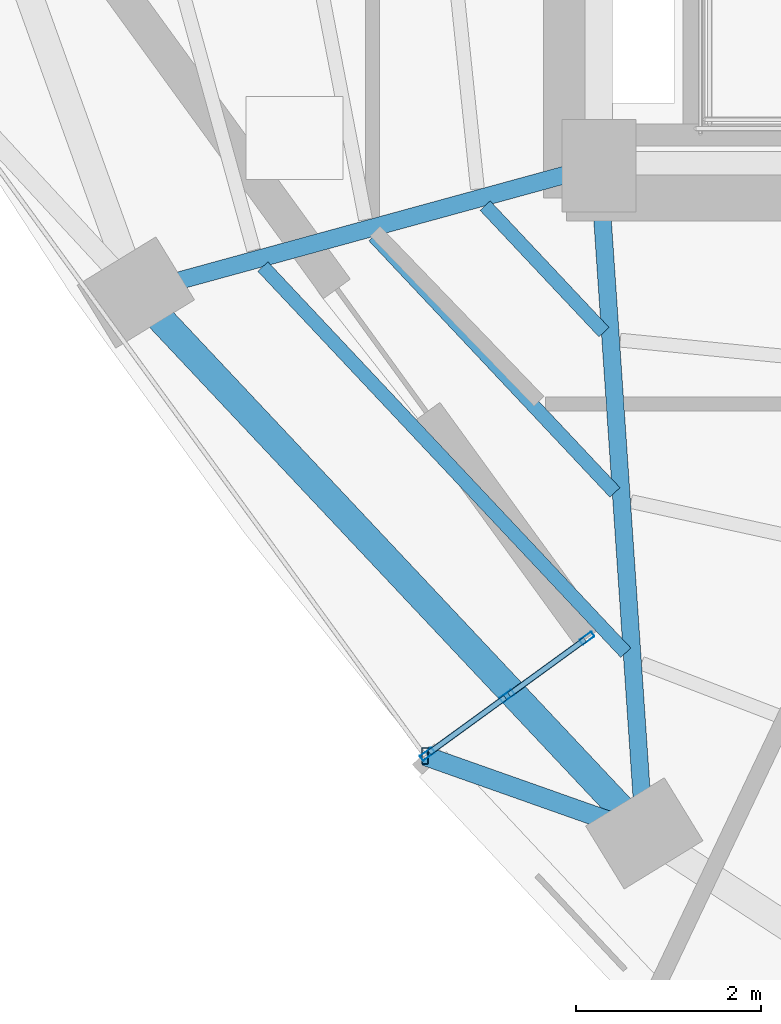
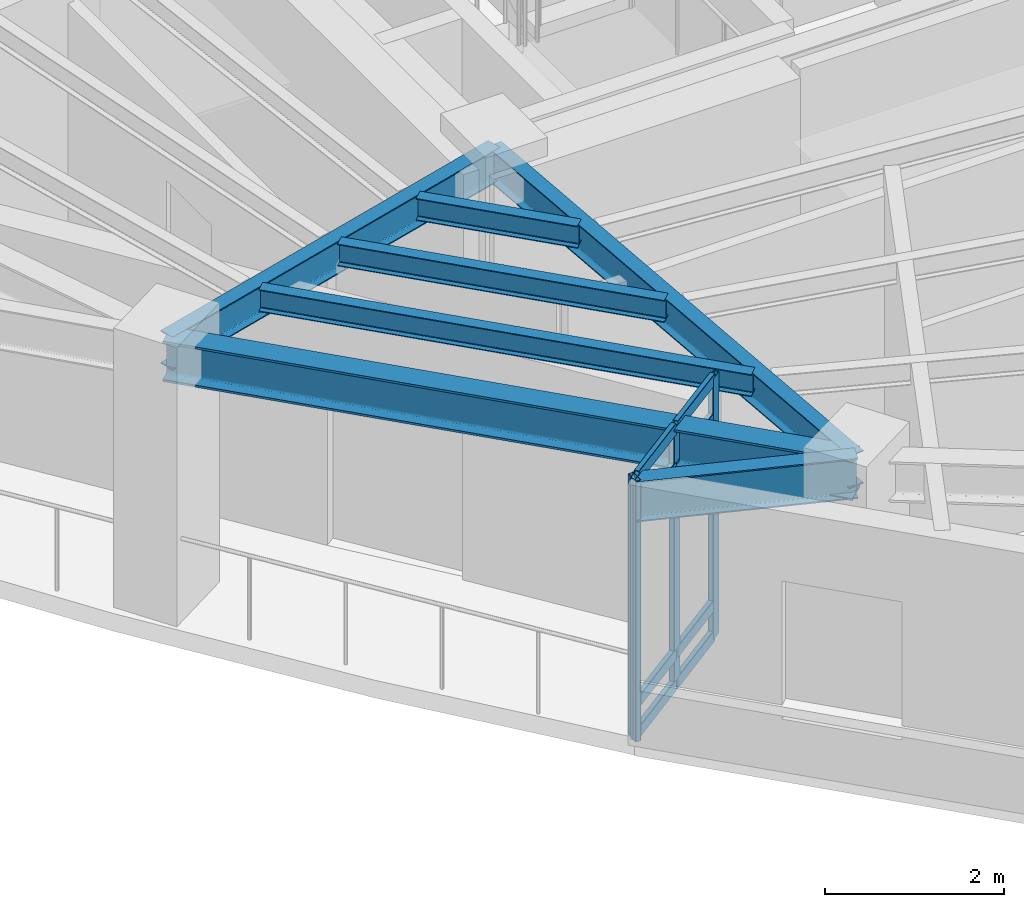
# One storey, part 2 of 12: 12 members, 7 beams, 1 element without a shape of its own.
"""IFC4 building model written with IfcOpenShell, lengths in metres."""

import ifcopenshell
import ifcopenshell.guid

model = None  # the IFC model being written
_history = None  # IfcOwnerHistory: only IFC2X3 demands one
_inside = {}  # id of a spatial element -> (the spatial element, [elements in it])
_under = {}  # id of a project, library or spatial element -> (it, [spatial elements below it])
_declared = {}  # id of a project -> (the project, [libraries it declares])
_typed = {}  # id of a type object -> (the type object, [elements of that type])
_made_of = {}  # id of a material, layer set ... -> (it, [elements and type objects made of it])


def new_model(schema):
    """Start an empty IFC model of exactly this schema.

    Asked for "IFC4X3", IfcOpenShell would pick the latest addendum, in which some entities
    have other attributes; the version numbers below select the first issue.
    IFC2X3 requires an IfcOwnerHistory on every rooted entity: one is made here for all.
    """
    global model, _history
    if schema == "IFC4X3":
        model = ifcopenshell.file(schema_version=(4, 3, 0, 0))
    else:
        model = ifcopenshell.file(schema=schema)
    _inside.clear()
    _under.clear()
    _declared.clear()
    _typed.clear()
    _made_of.clear()
    _history = None
    if model.schema == "IFC2X3":
        org = make("IfcOrganization", Name="unknown")
        user = make(
            "IfcPersonAndOrganization",
            ThePerson=make("IfcPerson", FamilyName="unknown"),
            TheOrganization=org,
        )
        app = make(
            "IfcApplication",
            ApplicationDeveloper=org,
            Version="unknown",
            ApplicationFullName="unknown",
            ApplicationIdentifier="unknown",
        )
        _history = make(
            "IfcOwnerHistory",
            OwningUser=user,
            OwningApplication=app,
            ChangeAction="ADDED",
            CreationDate=0,
        )
    return model


def make(cls, **values):
    """One entity of the class cls with the attributes given. An attribute that is None is left unset."""
    return model.create_entity(
        cls, **{name: value for name, value in values.items() if value is not None}
    )


def rooted(cls, **values):
    """An entity with a GlobalId (a new one), such as an element, a storey or a relation."""
    return make(cls, GlobalId=ifcopenshell.guid.new(), OwnerHistory=_history, **values)


def si_unit(unit_type, name, prefix=None):
    """IfcSIUnit, for example si_unit("LENGTHUNIT", "METRE", prefix="MILLI")."""
    return make("IfcSIUnit", UnitType=unit_type, Prefix=prefix, Name=name)


def assignment(units):
    """IfcUnitAssignment: the units of a project."""
    return None if units is None else make("IfcUnitAssignment", Units=units)


def point(xyz):
    """IfcCartesianPoint."""
    return None if xyz is None else make("IfcCartesianPoint", Coordinates=xyz)


def direction(xyz):
    """IfcDirection."""
    return None if xyz is None else make("IfcDirection", DirectionRatios=xyz)


def frame(location, z_axis=None, x_axis=None):
    """IfcAxis2Placement3D, a coordinate frame: its origin and axes. An axis left out is left unset."""
    return make(
        "IfcAxis2Placement3D",
        Location=point(location),
        Axis=direction(z_axis),
        RefDirection=direction(x_axis),
    )


def frame_2d(location, x_axis=None):
    """IfcAxis2Placement2D, a coordinate frame in the plane: its origin and x axis."""
    return make(
        "IfcAxis2Placement2D", Location=point(location), RefDirection=direction(x_axis)
    )


def origin():
    """The frame at (0, 0, 0) with its axes left unset."""
    return frame((0.0, 0.0, 0.0))


def origin_2d():
    """The frame at (0, 0) in the plane with its x axis left unset."""
    return frame_2d((0.0, 0.0))


def place(relative_to, where):
    """IfcLocalPlacement: puts the frame where relative to a parent placement (None: the world)."""
    return make(
        "IfcLocalPlacement", PlacementRelTo=relative_to, RelativePlacement=where
    )


def context(
    kind, dimensions, precision=None, world=None, true_north=None, identifier=None
):
    """IfcGeometricRepresentationContext, for example the 3D "Model" context."""
    return make(
        "IfcGeometricRepresentationContext",
        ContextIdentifier=identifier,
        ContextType=kind,
        CoordinateSpaceDimension=dimensions,
        Precision=precision,
        WorldCoordinateSystem=world,
        TrueNorth=true_north,
    )


def subcontext(parent, identifier, kind, view, scale=None):
    """IfcGeometricRepresentationSubContext, for example "Body" below "Model"."""
    return make(
        "IfcGeometricRepresentationSubContext",
        ContextIdentifier=identifier,
        ContextType=kind,
        ParentContext=parent,
        TargetScale=scale,
        TargetView=view,
    )


def project(units=None, contexts=None):
    """IfcProject with its units and contexts."""
    return rooted(
        "IfcProject",
        Name="project",
        RepresentationContexts=contexts,
        UnitsInContext=assignment(units),
    )


def spatial(cls, under=None, at=None, **own):
    """A site, building, storey or space (cls), placed at a placement, below another one or the project."""
    s = rooted(cls, ObjectPlacement=at, **own)
    if under is not None:
        _under.setdefault(under.id(), (under, []))[1].append(s)
    return s


def profile(cls, at=None, kind="AREA", **sizes):
    """A parametric profile (cls). Its sizes go by their IFC names, for example OverallWidth=200.0."""
    return make(cls, ProfileType=kind, Position=at, **sizes)


def hollow_rectangle(**sizes):
    """IfcRectangleHollowProfileDef."""
    return profile("IfcRectangleHollowProfileDef", **sizes)


def i_section(**sizes):
    """IfcIShapeProfileDef."""
    return profile("IfcIShapeProfileDef", **sizes)


def extrude(swept, where, along, depth):
    """IfcExtrudedAreaSolid: the profile swept, set in the frame where, extruded along a direction by depth."""
    return make(
        "IfcExtrudedAreaSolid",
        SweptArea=swept,
        Position=where,
        ExtrudedDirection=direction(along),
        Depth=depth,
    )


def shape(context_of_items, identifier, shape_type, items):
    """IfcShapeRepresentation: the items that make up one representation, for example the "Body"."""
    return make(
        "IfcShapeRepresentation",
        ContextOfItems=context_of_items,
        RepresentationIdentifier=identifier,
        RepresentationType=shape_type,
        Items=items,
    )


def material(Name=None, Category=None):
    """IfcMaterial."""
    return make("IfcMaterial", Name=Name, Category=Category)


def layer(
    of_material, thickness, ventilated=None, Name=None, Category=None, Priority=None
):
    """IfcMaterialLayer: one layer of a wall or slab, of a material (None: an air gap)."""
    return make(
        "IfcMaterialLayer",
        Material=of_material,
        LayerThickness=thickness,
        IsVentilated=ventilated,
        Name=Name,
        Category=Category,
        Priority=Priority,
    )


def layer_set(layers, Name=None):
    """IfcMaterialLayerSet."""
    return make("IfcMaterialLayerSet", MaterialLayers=layers, LayerSetName=Name)


def material_profile(
    of_material, cross_section, Name=None, Category=None, Priority=None
):
    """IfcMaterialProfile: a cross section and its material."""
    return make(
        "IfcMaterialProfile",
        Name=Name,
        Material=of_material,
        Profile=cross_section,
        Priority=Priority,
        Category=Category,
    )


def profile_set(profiles, Name=None, composite=None):
    """IfcMaterialProfileSet."""
    return make(
        "IfcMaterialProfileSet",
        Name=Name,
        MaterialProfiles=profiles,
        CompositeProfile=composite,
    )


def made_of(thing, what):
    """Note that an element or type object is made of a material, layer set ...; save() writes the relation."""
    if what is not None:
        _made_of.setdefault(what.id(), (what, []))[1].append(thing)
    return thing


def type_object(cls, material=None, **own):
    """A type object (cls), such as IfcWallType, which elements share."""
    return made_of(rooted(cls, **own), material)


def element(
    cls,
    number,
    at=None,
    inside=None,
    cuts=None,
    type_object=None,
    material=None,
    context=None,
    identifier="Body",
    shape_type=None,
    held_by="IfcProductDefinitionShape",
    body=None,
    shapes=None,
    **own,
):
    """One element of the class cls, such as IfcWall. Its Tag is "e" and its number.

    at: its placement. inside: the storey or other place that contains it. cuts: it is an
    opening in that element (IfcRelVoidsElement). A single representation is given by context,
    identifier, shape_type and body (its items); several are given by shapes. held_by: the class
    of the entity that holds the representations. save() writes the other relations.
    """
    e = rooted(cls, Tag="e%d" % number, ObjectPlacement=at, **own)
    if body is not None:
        shapes = [shape(context, identifier, shape_type, body)]
    if shapes is not None:
        e.Representation = make(held_by, Representations=shapes)
    if inside is not None:
        _inside.setdefault(inside.id(), (inside, []))[1].append(e)
    if cuts is not None:
        rooted(
            "IfcRelVoidsElement", RelatingBuildingElement=cuts, RelatedOpeningElement=e
        )
    if type_object is not None:
        _typed.setdefault(type_object.id(), (type_object, []))[1].append(e)
    return made_of(e, material)


def aggregate(whole, parts):
    """IfcRelAggregates: a whole, such as a stair, and the parts it consists of."""
    return rooted("IfcRelAggregates", RelatingObject=whole, RelatedObjects=parts)


def save(model, path):
    """Write the relations noted so far, then the file.

    IfcRelAggregates (storeys below a building ...), IfcRelContainedInSpatialStructure (elements
    in a storey), IfcRelDefinesByType, IfcRelAssociatesMaterial and IfcRelDeclares: one each for
    every whole, place, type object, material and project.
    """
    for whole, parts in _under.values():
        aggregate(whole, parts)
    for where, things in _inside.values():
        rooted(
            "IfcRelContainedInSpatialStructure",
            RelatedElements=things,
            RelatingStructure=where,
        )
    for kind, things in _typed.values():
        rooted("IfcRelDefinesByType", RelatedObjects=things, RelatingType=kind)
    for what, things in _made_of.values():
        rooted("IfcRelAssociatesMaterial", RelatedObjects=things, RelatingMaterial=what)
    for by, libraries in _declared.values():
        rooted("IfcRelDeclares", RelatingContext=by, RelatedDefinitions=libraries)
    model.write(path)


model = new_model("IFC4")

# Units and contexts
model_context = context("Model", 3, precision=1e-05, world=origin(), true_north=direction((0.0, 1.0)))
body_context = subcontext(model_context, "Body", "Model", "MODEL_VIEW")
ifc_project = project(units=[si_unit("LENGTHUNIT", "METRE"), si_unit("AREAUNIT", "SQUARE_METRE"), si_unit("VOLUMEUNIT", "CUBIC_METRE"), si_unit("PLANEANGLEUNIT", "RADIAN"), si_unit("MASSUNIT", "GRAM", prefix="KILO")], contexts=[model_context])

# Site, building, storey
site_placement = place(None, origin())
site = spatial("IfcSite", under=ifc_project, at=site_placement, CompositionType="ELEMENT")
building_placement = place(site_placement, origin())
building = spatial("IfcBuilding", under=site, at=building_placement, Name="Ndelora Gate Hotel", CompositionType="ELEMENT")
storey_placement = place(building_placement, frame((0.0, 0.0, 232.14990234375)))
storey = spatial("IfcBuildingStorey", under=building, at=storey_placement, Name="L58", CompositionType="ELEMENT", Elevation=232.14990234375)

# Beams
ifc_material_1 = material(Name="Steel S355", Category="steel")
ifc_material_profile_1 = material_profile(ifc_material_1, i_section(OverallWidth=0.14990234375, OverallDepth=0.300048828125, WebThickness=0.007080078125, FlangeThickness=0.0107421875, FilletRadius=0.014892578125, at=origin_2d()), Name="IPE 300")
ifc_profile_set_1 = profile_set([ifc_material_profile_1], Name="Steel S355")
beam_type_1 = type_object("IfcBeamType", Name="BM-JST-300", PredefinedType="JOIST", material=ifc_profile_set_1)
beam_1_placement = place(storey_placement, frame((-9.231201171875, -7.03369140625, 3.400146484375), z_axis=(0.684943115963, -0.728596546722, 0.0), x_axis=(0.728596546722, 0.684943115963, 0.0)))
element("IfcBeam", 1, at=beam_1_placement, inside=storey, type_object=beam_type_1, Name="L58 Secondary Composite Floor Joist IN-3", PredefinedType="JOIST", context=body_context, shape_type="SweptSolid", body=[
    extrude(i_section(OverallWidth=0.14990234375, OverallDepth=0.300048828125, WebThickness=0.007080078125, FlangeThickness=0.0107421875, FilletRadius=0.014892578125, at=origin_2d()), origin(), (0.0, 0.0, 1.0), 1.879150390625),
])
beam_2_placement = place(storey_placement, frame((-10.43408203125, -7.36328125, 3.400146484375), z_axis=(0.684938600536, -0.728600791584, 0.0), x_axis=(0.728600791584, 0.684938600536, 0.0)))
element("IfcBeam", 2, at=beam_2_placement, inside=storey, type_object=beam_type_1, Name="L58 Secondary Composite Floor Joist MID-3", PredefinedType="JOIST", context=body_context, shape_type="SweptSolid", body=[
    extrude(i_section(OverallWidth=0.14990234375, OverallDepth=0.300048828125, WebThickness=0.007080078125, FlangeThickness=0.0107421875, FilletRadius=0.014892578125, at=origin_2d()), origin(), (0.0, 0.0, 1.0), 3.807861328125),
])
beam_3_placement = place(storey_placement, frame((-11.636962890625, -7.693115234375, 3.400146484375), z_axis=(0.68493576734, -0.728603454986, 0.0), x_axis=(0.728603454986, 0.68493576734, 0.0)))
element("IfcBeam", 3, at=beam_3_placement, inside=storey, type_object=beam_type_1, Name="L58 Secondary Composite Floor Joist OUT-3", PredefinedType="JOIST", context=body_context, shape_type="SweptSolid", body=[
    extrude(i_section(OverallWidth=0.14990234375, OverallDepth=0.300048828125, WebThickness=0.007080078125, FlangeThickness=0.0107421875, FilletRadius=0.014892578125, at=origin_2d()), origin(), (0.0, 0.0, 1.0), 5.736328125),
])
ifc_material_profile_2 = material_profile(ifc_material_1, i_section(OverallWidth=0.18994140625, OverallDepth=0.449951171875, WebThickness=0.009521484375, FlangeThickness=0.0146484375, FilletRadius=0.02099609375, at=origin_2d()), Name="IPE 450")
ifc_profile_set_2 = profile_set([ifc_material_profile_2], Name="Steel S355")
beam_type_2 = type_object("IfcBeamType", Name="BM-RAD-450", PredefinedType="BEAM", material=ifc_profile_set_2)
beam_4_placement = place(storey_placement, frame((-8.0, -6.60009765625, 3.3251953125), z_axis=(-0.96442695542, -0.264349480157, 0.0), x_axis=(0.264349480157, -0.96442695542, 0.0)))
element("IfcBeam", 4, at=beam_4_placement, inside=storey, type_object=beam_type_2, Name="L58 Radial Floor Girder 3", PredefinedType="BEAM", context=body_context, shape_type="SweptSolid", body=[
    extrude(i_section(OverallWidth=0.18994140625, OverallDepth=0.449951171875, WebThickness=0.009521484375, FlangeThickness=0.0146484375, FilletRadius=0.02099609375, at=origin_2d()), origin(), (0.0, 0.0, 1.0), 5.19677734375),
])
beam_5_placement = place(storey_placement, frame((-8.0, -6.60009765625, 3.3251953125), z_axis=(0.067867612113, -0.997694335569, 0.0), x_axis=(0.997694335569, 0.067867612113, 0.0)))
element("IfcBeam", 5, at=beam_5_placement, inside=storey, type_object=beam_type_2, Name="L58 Radial Floor Girder 4", PredefinedType="BEAM", context=body_context, shape_type="SweptSolid", body=[
    extrude(i_section(OverallWidth=0.18994140625, OverallDepth=0.449951171875, WebThickness=0.009521484375, FlangeThickness=0.0146484375, FilletRadius=0.02099609375, at=origin_2d()), origin(), (0.0, 0.0, 1.0), 7.244873046875),
])
ifc_material_profile_3 = material_profile(ifc_material_1, i_section(OverallWidth=0.2099609375, OverallDepth=0.550048828125, WebThickness=0.010986328125, FlangeThickness=0.01708984375, FilletRadius=0.02392578125, at=origin_2d()), Name="IPE 550")
ifc_profile_set_3 = profile_set([ifc_material_profile_3], Name="Steel S355")
beam_type_3 = type_object("IfcBeamType", Name="BM-RAD-550", PredefinedType="BEAM", material=ifc_profile_set_3)
beam_6_placement = place(storey_placement, frame((-7.50830078125, -13.828369140625, 3.275146484375), z_axis=(-0.942868544611, 0.333164985529, 0.0), x_axis=(-0.333164985529, -0.942868544611, 0.0)))
element("IfcBeam", 6, at=beam_6_placement, inside=storey, type_object=beam_type_3, Name="L58 Sky-Garden Loggia Column Bracket 3", PredefinedType="BEAM", context=body_context, shape_type="SweptSolid", body=[
    extrude(i_section(OverallWidth=0.2099609375, OverallDepth=0.550048828125, WebThickness=0.010986328125, FlangeThickness=0.01708984375, FilletRadius=0.02392578125, at=origin_2d()), origin(), (0.0, 0.0, 1.0), 2.517822265625),
])
ifc_material_profile_4 = material_profile(ifc_material_1, i_section(OverallWidth=0.300048828125, OverallDepth=0.550048828125, WebThickness=0.014892578125, FlangeThickness=0.029052734375, FilletRadius=0.027099609375, at=origin_2d()), Name="HEB 550")
ifc_profile_set_4 = profile_set([ifc_material_profile_4], Name="Steel S355")
beam_type_4 = type_object("IfcBeamType", Name="BM-RING-550", PredefinedType="SPANDREL", material=ifc_profile_set_4)
beam_7_placement = place(storey_placement, frame((-13.011962890625, -7.973876953125, 3.275146484375), z_axis=(0.684939043371, -0.728600375285, 0.0), x_axis=(0.728600375285, 0.684939043371, 0.0)))
element("IfcBeam", 7, at=beam_7_placement, inside=storey, type_object=beam_type_4, Name="L58 Perimeter Spandrel Girder 3", PredefinedType="SPANDREL", context=body_context, shape_type="SweptSolid", body=[
    extrude(i_section(OverallWidth=0.300048828125, OverallDepth=0.550048828125, WebThickness=0.014892578125, FlangeThickness=0.029052734375, FilletRadius=0.027099609375, at=origin_2d()), origin(), (0.0, 0.0, 1.0), 8.03515625),
])

# Curtain wall, members
ifc_material_2 = material(Name="Bronze Anodised Unitised Aluminium and Low-E Glass", Category="aluminium")
ifc_layer = layer(ifc_material_2, 0.199951171875)
ifc_layer_set = layer_set([ifc_layer], Name="Bronze Anodised Unitised Aluminium and Low-E Glass")
curtain_wall_type = type_object("IfcCurtainWallType", Name="CW-SYS-3", PredefinedType="NOTDEFINED", material=ifc_layer_set)
curtain_wall_placement = place(storey_placement, origin())
curtain_wall = element("IfcCurtainWall", 8, at=curtain_wall_placement, inside=storey, type_object=curtain_wall_type, Name="L58 Sky-Garden Loggia Side Curtain Wall CW3-2", PredefinedType="NOTDEFINED")
ifc_material_3 = material(Name="Bronze Anodised Aluminium 6063-T6", Category="aluminium")
ifc_material_profile_5 = material_profile(ifc_material_3, hollow_rectangle(XDim=0.06494140625, YDim=0.159912109375, WallThickness=0.00390625, InnerFilletRadius=0.00390625, OuterFilletRadius=0.008056640625, at=origin_2d()), Name="ALU 160x65x4")
ifc_profile_set_5 = profile_set([ifc_material_profile_5], Name="Bronze Anodised Aluminium 6063-T6")
member_type_1 = type_object("IfcMemberType", Name="MB-CW-MUL150", PredefinedType="MULLION", material=ifc_profile_set_5)
member_1_placement = place(storey_placement, frame((-9.85595703125, -12.97021484375, -0.00390625), z_axis=(0.0, 0.0, 1.0), x_axis=(-0.587763521074, 0.809032782583, 0.0)))
member_1 = element("IfcMember", 9, at=member_1_placement, type_object=member_type_1, Name="CW3 mullion 1", PredefinedType="MULLION", context=body_context, shape_type="SweptSolid", body=[
    extrude(hollow_rectangle(XDim=0.06494140625, YDim=0.159912109375, WallThickness=0.00390625, InnerFilletRadius=0.00390625, OuterFilletRadius=0.008056640625, at=origin_2d()), origin(), (0.0, 0.0, 1.0), 3.55810546875),
])
member_2_placement = place(storey_placement, frame((-8.992431640625, -12.3427734375, -0.00390625), z_axis=(0.0, 0.0, 1.0), x_axis=(-0.587763521074, 0.809032782583, 0.0)))
member_2 = element("IfcMember", 10, at=member_2_placement, type_object=member_type_1, Name="CW3 mullion 2", PredefinedType="MULLION", context=body_context, shape_type="SweptSolid", body=[
    extrude(hollow_rectangle(XDim=0.06494140625, YDim=0.159912109375, WallThickness=0.00390625, InnerFilletRadius=0.00390625, OuterFilletRadius=0.008056640625, at=origin_2d()), origin(), (0.0, 0.0, 1.0), 3.55810546875),
])
member_3_placement = place(storey_placement, frame((-8.128662109375, -11.71533203125, -0.00390625), z_axis=(0.0, 0.0, 1.0), x_axis=(-0.587763521074, 0.809032782583, 0.0)))
member_3 = element("IfcMember", 11, at=member_3_placement, type_object=member_type_1, Name="CW3 mullion 3", PredefinedType="MULLION", context=body_context, shape_type="SweptSolid", body=[
    extrude(hollow_rectangle(XDim=0.06494140625, YDim=0.159912109375, WallThickness=0.00390625, InnerFilletRadius=0.00390625, OuterFilletRadius=0.008056640625, at=origin_2d()), origin(), (0.0, 0.0, 1.0), 3.55810546875),
])
ifc_material_profile_6 = material_profile(ifc_material_3, hollow_rectangle(XDim=0.070068359375, YDim=0.179931640625, WallThickness=0.0048828125, InnerFilletRadius=0.0048828125, OuterFilletRadius=0.010009765625, at=origin_2d()), Name="ALU 180x70x5")
ifc_profile_set_6 = profile_set([ifc_material_profile_6], Name="Bronze Anodised Aluminium 6063-T6")
member_type_2 = type_object("IfcMemberType", Name="MB-CW-MUL180", PredefinedType="MULLION", material=ifc_profile_set_6)
member_4_placement = place(storey_placement, frame((-9.88232421875, -12.989501953125, 0.0), z_axis=(0.0, 0.0, 1.0), x_axis=(1.0, 0.0, 0.0)))
member_4 = element("IfcMember", 12, at=member_4_placement, type_object=member_type_2, Name="L58 Sky-Garden Loggia Corner Mullion Post 2", PredefinedType="MULLION", context=body_context, shape_type="SweptSolid", body=[
    extrude(hollow_rectangle(XDim=0.070068359375, YDim=0.179931640625, WallThickness=0.0048828125, InnerFilletRadius=0.0048828125, OuterFilletRadius=0.010009765625, at=origin_2d()), origin(), (0.0, 0.0, 1.0), 3.550048828125),
])
ifc_material_profile_7 = material_profile(ifc_material_3, hollow_rectangle(XDim=0.06494140625, YDim=0.159912109375, WallThickness=0.00390625, InnerFilletRadius=0.00390625, OuterFilletRadius=0.008056640625, at=origin_2d()), Name="ALU 160x65x4")
ifc_profile_set_7 = profile_set([ifc_material_profile_7], Name="Bronze Anodised Aluminium 6063-T6")
member_type_3 = type_object("IfcMemberType", Name="MB-CW-TRN150", PredefinedType="USERDEFINED", material=ifc_profile_set_7)
member_5_placement = place(storey_placement, frame((-9.83447265625, -12.954833984375, 0.03271484375), z_axis=(0.808975339931, 0.587842580444, 0.0), x_axis=(-0.587842580444, 0.808975339931, 0.0)))
member_5 = element("IfcMember", 13, at=member_5_placement, type_object=member_type_3, Name="CW3 transom 1.1", ObjectType="TRANSOM", PredefinedType="USERDEFINED", context=body_context, shape_type="SweptSolid", body=[
    extrude(hollow_rectangle(XDim=0.06494140625, YDim=0.159912109375, WallThickness=0.00390625, InnerFilletRadius=0.00390625, OuterFilletRadius=0.008056640625, at=origin_2d()), origin(), (0.0, 0.0, 1.0), 1.0146484375),
])
member_6_placement = place(storey_placement, frame((-9.83447265625, -12.954833984375, 0.4501953125), z_axis=(0.808975339931, 0.587842580444, 0.0), x_axis=(-0.587842580444, 0.808975339931, 0.0)))
member_6 = element("IfcMember", 14, at=member_6_placement, type_object=member_type_3, Name="CW3 transom 1.2", ObjectType="TRANSOM", PredefinedType="USERDEFINED", context=body_context, shape_type="SweptSolid", body=[
    extrude(hollow_rectangle(XDim=0.06494140625, YDim=0.159912109375, WallThickness=0.00390625, InnerFilletRadius=0.00390625, OuterFilletRadius=0.008056640625, at=origin_2d()), origin(), (0.0, 0.0, 1.0), 1.0146484375),
])
member_7_placement = place(storey_placement, frame((-9.83447265625, -12.954833984375, 3.0), z_axis=(0.808975339931, 0.587842580444, 0.0), x_axis=(-0.587842580444, 0.808975339931, 0.0)))
member_7 = element("IfcMember", 15, at=member_7_placement, type_object=member_type_3, Name="CW3 transom 1.3", ObjectType="TRANSOM", PredefinedType="USERDEFINED", context=body_context, shape_type="SweptSolid", body=[
    extrude(hollow_rectangle(XDim=0.06494140625, YDim=0.159912109375, WallThickness=0.00390625, InnerFilletRadius=0.00390625, OuterFilletRadius=0.008056640625, at=origin_2d()), origin(), (0.0, 0.0, 1.0), 1.0146484375),
])
member_8_placement = place(storey_placement, frame((-9.83447265625, -12.954833984375, 3.517578125), z_axis=(0.808975339931, 0.587842580444, 0.0), x_axis=(-0.587842580444, 0.808975339931, 0.0)))
member_8 = element("IfcMember", 16, at=member_8_placement, type_object=member_type_3, Name="CW3 transom 1.4", ObjectType="TRANSOM", PredefinedType="USERDEFINED", context=body_context, shape_type="SweptSolid", body=[
    extrude(hollow_rectangle(XDim=0.06494140625, YDim=0.159912109375, WallThickness=0.00390625, InnerFilletRadius=0.00390625, OuterFilletRadius=0.008056640625, at=origin_2d()), origin(), (0.0, 0.0, 1.0), 1.0146484375),
])
member_9_placement = place(storey_placement, frame((-8.970947265625, -12.327392578125, 0.03271484375), z_axis=(0.808975339931, 0.587842580444, 0.0), x_axis=(-0.587842580444, 0.808975339931, 0.0)))
member_9 = element("IfcMember", 17, at=member_9_placement, type_object=member_type_3, Name="CW3 transom 2.1", ObjectType="TRANSOM", PredefinedType="USERDEFINED", context=body_context, shape_type="SweptSolid", body=[
    extrude(hollow_rectangle(XDim=0.06494140625, YDim=0.159912109375, WallThickness=0.00390625, InnerFilletRadius=0.00390625, OuterFilletRadius=0.008056640625, at=origin_2d()), origin(), (0.0, 0.0, 1.0), 1.0146484375),
])
member_10_placement = place(storey_placement, frame((-8.970947265625, -12.327392578125, 0.4501953125), z_axis=(0.808975339931, 0.587842580444, 0.0), x_axis=(-0.587842580444, 0.808975339931, 0.0)))
member_10 = element("IfcMember", 18, at=member_10_placement, type_object=member_type_3, Name="CW3 transom 2.2", ObjectType="TRANSOM", PredefinedType="USERDEFINED", context=body_context, shape_type="SweptSolid", body=[
    extrude(hollow_rectangle(XDim=0.06494140625, YDim=0.159912109375, WallThickness=0.00390625, InnerFilletRadius=0.00390625, OuterFilletRadius=0.008056640625, at=origin_2d()), origin(), (0.0, 0.0, 1.0), 1.0146484375),
])
member_11_placement = place(storey_placement, frame((-8.970947265625, -12.327392578125, 3.0), z_axis=(0.808975339931, 0.587842580444, 0.0), x_axis=(-0.587842580444, 0.808975339931, 0.0)))
member_11 = element("IfcMember", 19, at=member_11_placement, type_object=member_type_3, Name="CW3 transom 2.3", ObjectType="TRANSOM", PredefinedType="USERDEFINED", context=body_context, shape_type="SweptSolid", body=[
    extrude(hollow_rectangle(XDim=0.06494140625, YDim=0.159912109375, WallThickness=0.00390625, InnerFilletRadius=0.00390625, OuterFilletRadius=0.008056640625, at=origin_2d()), origin(), (0.0, 0.0, 1.0), 1.0146484375),
])
member_12_placement = place(storey_placement, frame((-8.970947265625, -12.327392578125, 3.517578125), z_axis=(0.808975339931, 0.587842580444, 0.0), x_axis=(-0.587842580444, 0.808975339931, 0.0)))
member_12 = element("IfcMember", 20, at=member_12_placement, type_object=member_type_3, Name="CW3 transom 2.4", ObjectType="TRANSOM", PredefinedType="USERDEFINED", context=body_context, shape_type="SweptSolid", body=[
    extrude(hollow_rectangle(XDim=0.06494140625, YDim=0.159912109375, WallThickness=0.00390625, InnerFilletRadius=0.00390625, OuterFilletRadius=0.008056640625, at=origin_2d()), origin(), (0.0, 0.0, 1.0), 1.0146484375),
])
aggregate(curtain_wall, [member_1, member_2, member_3, member_5, member_6, member_7, member_8, member_9, member_10, member_11, member_12, member_4])

save(model, "model.ifc")
